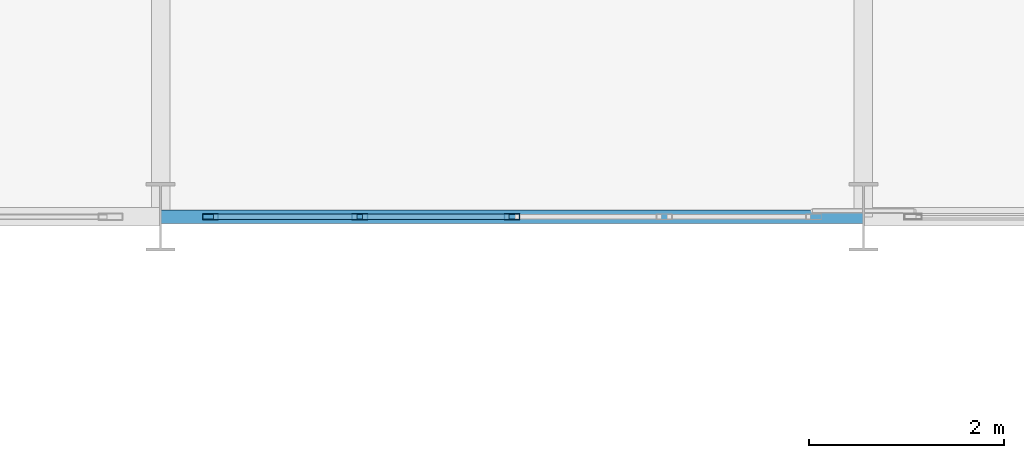
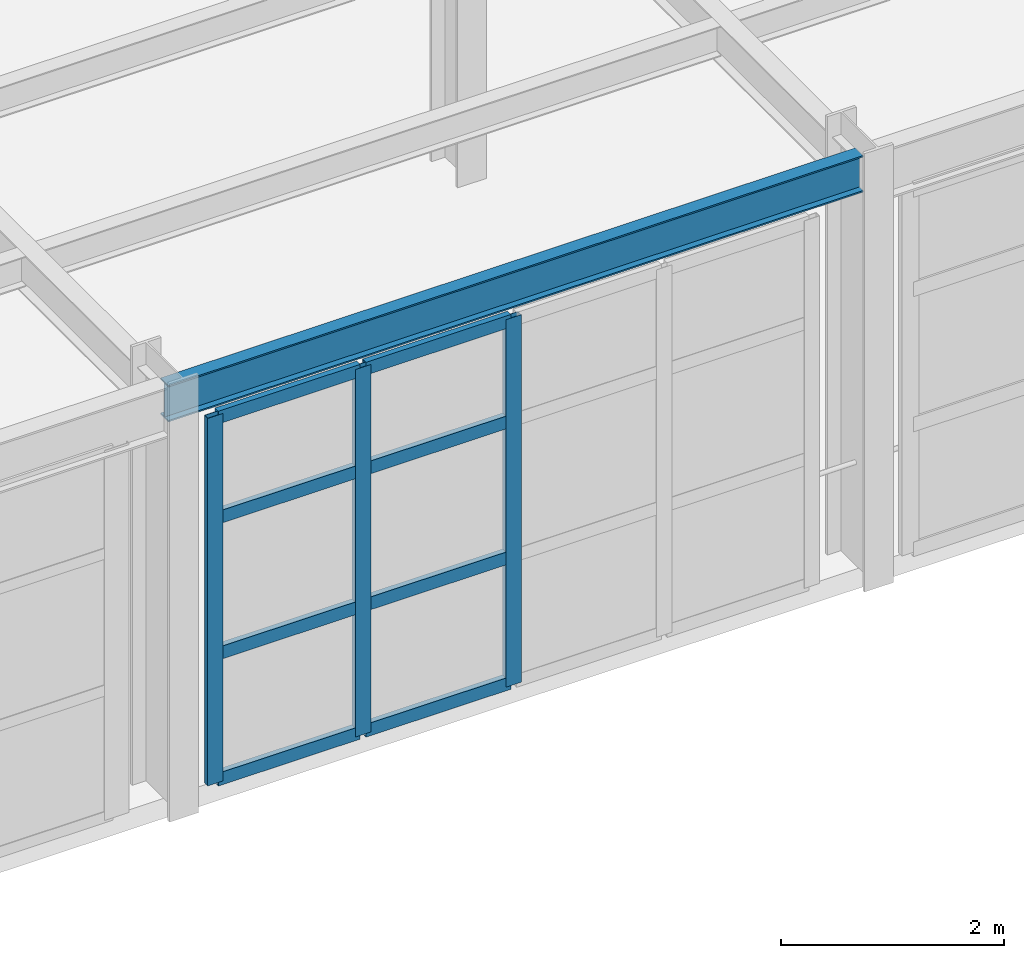
# One storey, part 36 of 121: 11 members, 1 beam, 1 element without a shape of its own.
"""IFC4 building model written with IfcOpenShell, lengths in metres."""

from ifc_helpers import new_model, si_unit, direction, frame, origin, origin_2d, place, context, subcontext, project, spatial, hollow_rectangle, i_section, extrude, material, layer, layer_set, material_profile, profile_set, type_object, element, aggregate, save


model = new_model("IFC4")

# Units and contexts
model_context = context("Model", 3, precision=1e-05, world=origin(), true_north=direction((0.0, 1.0)))
body_context = subcontext(model_context, "Body", "Model", "MODEL_VIEW")
ifc_project = project(units=[si_unit("LENGTHUNIT", "METRE"), si_unit("AREAUNIT", "SQUARE_METRE"), si_unit("VOLUMEUNIT", "CUBIC_METRE"), si_unit("PLANEANGLEUNIT", "RADIAN"), si_unit("MASSUNIT", "GRAM", prefix="KILO")], contexts=[model_context])

# Site, building, storey
site_placement = place(None, origin())
site = spatial("IfcSite", under=ifc_project, at=site_placement, CompositionType="ELEMENT")
building_placement = place(site_placement, origin())
building = spatial("IfcBuilding", under=site, at=building_placement, Name="Solvadek Multi-Sports Hall", CompositionType="ELEMENT")
storey_placement = place(building_placement, frame((0.0, 0.0, 4.800048828125)))
storey = spatial("IfcBuildingStorey", under=building, at=storey_placement, Name="L01", CompositionType="ELEMENT", Elevation=4.800048828125)

# Curtain wall, members
ifc_material_1 = material(Name="Anodised aluminium", Category="aluminium")
ifc_layer = layer(ifc_material_1, 0.159912109375, Name="Anodised aluminium")
ifc_layer_set = layer_set([ifc_layer], Name="Anodised aluminium")
curtain_wall_type = type_object("IfcCurtainWallType", Name="ENV-CW-624X402", PredefinedType="USERDEFINED", material=ifc_layer_set)
curtain_wall_placement = place(storey_placement, origin())
curtain_wall = element("IfcCurtainWall", 1, at=curtain_wall_placement, inside=storey, type_object=curtain_wall_type, Name="L01 Perimeter Bay Curtain Wall #172", ObjectType="CURTAIN WALL", PredefinedType="USERDEFINED")
ifc_material_profile_1 = material_profile(ifc_material_1, hollow_rectangle(XDim=0.06005859375, YDim=0.159912109375, WallThickness=0.00390625, at=origin_2d()), Name="ALU-M 160x60x4")
ifc_profile_set_1 = profile_set([ifc_material_profile_1], Name="Anodised aluminium")
member_type_1 = type_object("IfcMemberType", Name="ENV-CWM-01", PredefinedType="MULLION", material=ifc_profile_set_1)
member_1_placement = place(storey_placement, frame((43.7099609375, 49.199951171875, 0.0), z_axis=(0.0, 0.0, 1.0), x_axis=(0.0, 1.0, 0.0)))
member_1 = element("IfcMember", 2, at=member_1_placement, type_object=member_type_1, Name="CW-55 mullion 1", PredefinedType="MULLION", context=body_context, shape_type="SweptSolid", body=[
    extrude(hollow_rectangle(XDim=0.06005859375, YDim=0.159912109375, WallThickness=0.00390625, at=origin_2d()), origin(), (0.0, 0.0, 1.0), 4.02490234375),
])
member_2_placement = place(storey_placement, frame((45.239990234375, 49.199951171875, 0.0), z_axis=(0.0, 0.0, 1.0), x_axis=(0.0, 1.0, 0.0)))
member_2 = element("IfcMember", 3, at=member_2_placement, type_object=member_type_1, Name="CW-55 mullion 2", PredefinedType="MULLION", context=body_context, shape_type="SweptSolid", body=[
    extrude(hollow_rectangle(XDim=0.06005859375, YDim=0.159912109375, WallThickness=0.00390625, at=origin_2d()), origin(), (0.0, 0.0, 1.0), 4.02490234375),
])
member_3_placement = place(storey_placement, frame((46.800048828125, 49.199951171875, 0.0), z_axis=(0.0, 0.0, 1.0), x_axis=(0.0, 1.0, 0.0)))
member_3 = element("IfcMember", 4, at=member_3_placement, type_object=member_type_1, Name="CW-55 mullion 3", PredefinedType="MULLION", context=body_context, shape_type="SweptSolid", body=[
    extrude(hollow_rectangle(XDim=0.06005859375, YDim=0.159912109375, WallThickness=0.00390625, at=origin_2d()), origin(), (0.0, 0.0, 1.0), 4.02490234375),
])
ifc_material_profile_2 = material_profile(ifc_material_1, hollow_rectangle(XDim=0.06005859375, YDim=0.139892578125, WallThickness=0.00390625, at=origin_2d()), Name="ALU-T 140x60x4")
ifc_profile_set_2 = profile_set([ifc_material_profile_2], Name="Anodised aluminium")
member_type_2 = type_object("IfcMemberType", Name="ENV-CWT-02", PredefinedType="USERDEFINED", material=ifc_profile_set_2)
member_4_placement = place(storey_placement, frame((43.739990234375, 49.199951171875, 0.030029296875), z_axis=(1.0, 0.0, 0.0), x_axis=(0.0, 1.0, 0.0)))
member_4 = element("IfcMember", 5, at=member_4_placement, type_object=member_type_2, Name="CW-55 transom 1.1", ObjectType="TRANSOM", PredefinedType="USERDEFINED", context=body_context, shape_type="SweptSolid", body=[
    extrude(hollow_rectangle(XDim=0.06005859375, YDim=0.139892578125, WallThickness=0.00390625, at=origin_2d()), origin(), (0.0, 0.0, 1.0), 1.469970703125),
])
member_5_placement = place(storey_placement, frame((43.739990234375, 49.199951171875, 1.408935546875), z_axis=(1.0, 0.0, 0.0), x_axis=(0.0, 1.0, 0.0)))
member_5 = element("IfcMember", 6, at=member_5_placement, type_object=member_type_2, Name="CW-55 transom 1.2", ObjectType="TRANSOM", PredefinedType="USERDEFINED", context=body_context, shape_type="SweptSolid", body=[
    extrude(hollow_rectangle(XDim=0.06005859375, YDim=0.139892578125, WallThickness=0.00390625, at=origin_2d()), origin(), (0.0, 0.0, 1.0), 1.469970703125),
])
member_6_placement = place(storey_placement, frame((43.739990234375, 49.199951171875, 2.89794921875), z_axis=(1.0, 0.0, 0.0), x_axis=(0.0, 1.0, 0.0)))
member_6 = element("IfcMember", 7, at=member_6_placement, type_object=member_type_2, Name="CW-55 transom 1.3", ObjectType="TRANSOM", PredefinedType="USERDEFINED", context=body_context, shape_type="SweptSolid", body=[
    extrude(hollow_rectangle(XDim=0.06005859375, YDim=0.139892578125, WallThickness=0.00390625, at=origin_2d()), origin(), (0.0, 0.0, 1.0), 1.469970703125),
])
member_7_placement = place(storey_placement, frame((43.739990234375, 49.199951171875, 3.994873046875), z_axis=(1.0, 0.0, 0.0), x_axis=(0.0, 1.0, 0.0)))
member_7 = element("IfcMember", 8, at=member_7_placement, type_object=member_type_2, Name="CW-55 transom 1.4", ObjectType="TRANSOM", PredefinedType="USERDEFINED", context=body_context, shape_type="SweptSolid", body=[
    extrude(hollow_rectangle(XDim=0.06005859375, YDim=0.139892578125, WallThickness=0.00390625, at=origin_2d()), origin(), (0.0, 0.0, 1.0), 1.469970703125),
])
member_8_placement = place(storey_placement, frame((45.27001953125, 49.199951171875, 0.030029296875), z_axis=(1.0, 0.0, 0.0), x_axis=(0.0, 1.0, 0.0)))
member_8 = element("IfcMember", 9, at=member_8_placement, type_object=member_type_2, Name="CW-55 transom 2.1", ObjectType="TRANSOM", PredefinedType="USERDEFINED", context=body_context, shape_type="SweptSolid", body=[
    extrude(hollow_rectangle(XDim=0.06005859375, YDim=0.139892578125, WallThickness=0.00390625, at=origin_2d()), origin(), (0.0, 0.0, 1.0), 1.5),
])
member_9_placement = place(storey_placement, frame((45.27001953125, 49.199951171875, 1.408935546875), z_axis=(1.0, 0.0, 0.0), x_axis=(0.0, 1.0, 0.0)))
member_9 = element("IfcMember", 10, at=member_9_placement, type_object=member_type_2, Name="CW-55 transom 2.2", ObjectType="TRANSOM", PredefinedType="USERDEFINED", context=body_context, shape_type="SweptSolid", body=[
    extrude(hollow_rectangle(XDim=0.06005859375, YDim=0.139892578125, WallThickness=0.00390625, at=origin_2d()), origin(), (0.0, 0.0, 1.0), 1.5),
])
member_10_placement = place(storey_placement, frame((45.27001953125, 49.199951171875, 2.89794921875), z_axis=(1.0, 0.0, 0.0), x_axis=(0.0, 1.0, 0.0)))
member_10 = element("IfcMember", 11, at=member_10_placement, type_object=member_type_2, Name="CW-55 transom 2.3", ObjectType="TRANSOM", PredefinedType="USERDEFINED", context=body_context, shape_type="SweptSolid", body=[
    extrude(hollow_rectangle(XDim=0.06005859375, YDim=0.139892578125, WallThickness=0.00390625, at=origin_2d()), origin(), (0.0, 0.0, 1.0), 1.5),
])
member_11_placement = place(storey_placement, frame((45.27001953125, 49.199951171875, 3.994873046875), z_axis=(1.0, 0.0, 0.0), x_axis=(0.0, 1.0, 0.0)))
member_11 = element("IfcMember", 12, at=member_11_placement, type_object=member_type_2, Name="CW-55 transom 2.4", ObjectType="TRANSOM", PredefinedType="USERDEFINED", context=body_context, shape_type="SweptSolid", body=[
    extrude(hollow_rectangle(XDim=0.06005859375, YDim=0.139892578125, WallThickness=0.00390625, at=origin_2d()), origin(), (0.0, 0.0, 1.0), 1.5),
])
aggregate(curtain_wall, [member_1, member_2, member_3, member_4, member_5, member_6, member_7, member_8, member_9, member_10, member_11])

# Beam
ifc_material_2 = material(Name="Steel E350 (350 MPa)", Category="steel")
ifc_material_profile_3 = material_profile(ifc_material_2, i_section(OverallWidth=0.139892578125, OverallDepth=0.39990234375, WebThickness=0.0087890625, FlangeThickness=0.01611328125, at=origin_2d()), Name="ISMB 400")
ifc_profile_set_3 = profile_set([ifc_material_profile_3], Name="Steel E350 (350 MPa)")
beam_type = type_object("IfcBeamType", Name="STR-BM-ISMB400", PredefinedType="BEAM", material=ifc_profile_set_3)
beam_placement = place(storey_placement, frame((43.199951171875, 49.199951171875, 4.35986328125), z_axis=(1.0, 0.0, 0.0), x_axis=(0.0, 1.0, 0.0)))
element("IfcBeam", 13, at=beam_placement, inside=storey, type_object=beam_type, Name="L01 Girder B-10 #1011", PredefinedType="BEAM", context=body_context, shape_type="SweptSolid", body=[
    extrude(i_section(OverallWidth=0.139892578125, OverallDepth=0.39990234375, WebThickness=0.0087890625, FlangeThickness=0.01611328125, at=origin_2d()), origin(), (0.0, 0.0, 1.0), 7.199951171875),
])

save(model, "model.ifc")
